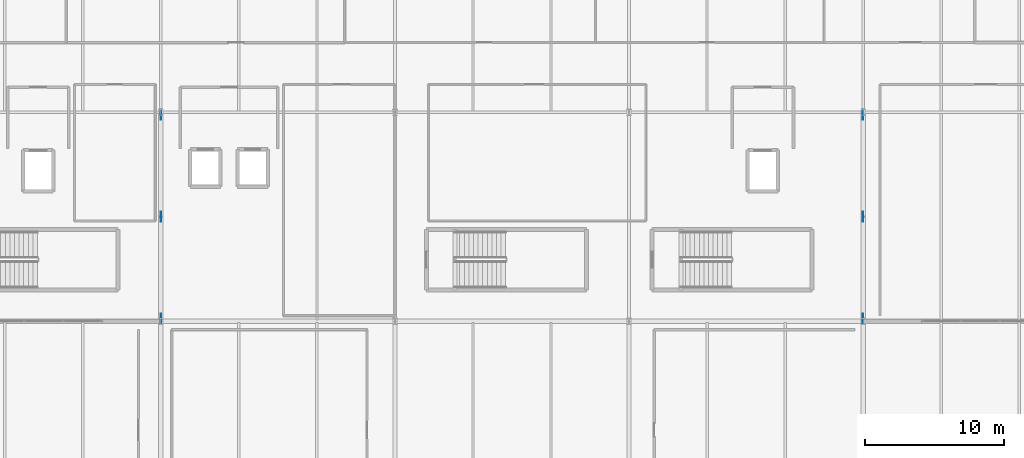
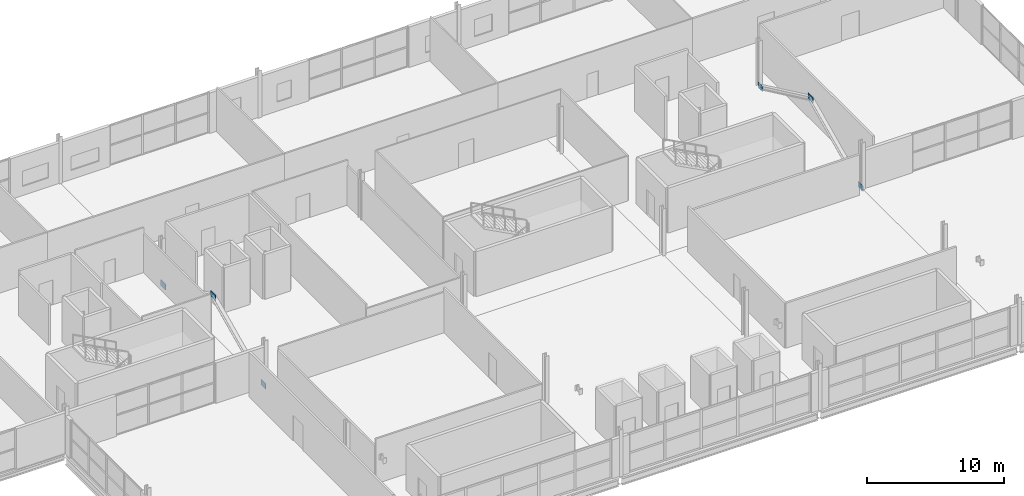
# One storey, part 29 of 39: 6 plates.
"""IFC4 building model written with IfcOpenShell, lengths in metres."""

from ifc_helpers import new_model, si_unit, direction, frame, origin, origin_2d, place, context, subcontext, project, spatial, rectangle, extrude, material, layer, layer_set, type_object, element, save


model = new_model("IFC4")

# Units and contexts
model_context = context("Model", 3, precision=1e-05, world=origin(), true_north=direction((0.0, 1.0)))
body_context = subcontext(model_context, "Body", "Model", "MODEL_VIEW")
ifc_project = project(units=[si_unit("LENGTHUNIT", "METRE"), si_unit("AREAUNIT", "SQUARE_METRE"), si_unit("VOLUMEUNIT", "CUBIC_METRE"), si_unit("PLANEANGLEUNIT", "RADIAN"), si_unit("MASSUNIT", "GRAM", prefix="KILO")], contexts=[model_context])

# Site, building, storey
site_placement = place(None, origin())
site = spatial("IfcSite", under=ifc_project, at=site_placement, CompositionType="ELEMENT")
building_placement = place(site_placement, origin())
building = spatial("IfcBuilding", under=site, at=building_placement, Name="Kimbaza Rail Terminus", CompositionType="ELEMENT")
storey_placement = place(building_placement, frame((0.0, 0.0, 16.800048828125)))
storey = spatial("IfcBuildingStorey", under=building, at=storey_placement, Name="L03", CompositionType="ELEMENT", Elevation=16.800048828125)

# Plates
ifc_material = material(Name="Steel S355", Category="steel")
ifc_layer = layer(ifc_material, 0.034912109375)
ifc_layer_set = layer_set([ifc_layer], Name="Steel S355")
plate_type = type_object("IfcPlateType", Name="STR-PL-WT01", PredefinedType="USERDEFINED", material=ifc_layer_set)
for number, where, z_axis, x_axis, name in (
    (1, (88.800048828125, 103.179931640625, -0.199951171875), (0.0, 0.0, 1.0), (1.0, 0.0, 0.0), "Chevron Brace Gusset Plate GP-01 4-S"),
    (2, (88.800048828125, 110.5, 3.25), (0.0, 0.0, 1.0), (1.0, 0.0, 0.0), "Chevron Brace Gusset Plate GP-01 4-M"),
    (3, (88.800048828125, 117.820068359375, -0.199951171875), (0.0, 0.0, 1.0), (1.0, 0.0, 0.0), "Chevron Brace Gusset Plate GP-01 4-N"),
    (4, (139.199951171875, 103.179931640625, -0.199951171875), (0.0, 0.0, 1.0), (1.0, 0.0, 0.0), "Chevron Brace Gusset Plate GP-01 8-S"),
    (5, (139.199951171875, 110.5, 3.25), (0.0, 0.0, 1.0), (1.0, 0.0, 0.0), "Chevron Brace Gusset Plate GP-01 8-M"),
    (6, (139.199951171875, 117.820068359375, -0.199951171875), (0.0, 0.0, 1.0), (1.0, 0.0, 0.0), "Chevron Brace Gusset Plate GP-01 8-N"),
):
    element("IfcPlate", number, at=place(storey_placement, frame(where, z_axis=z_axis, x_axis=x_axis)), inside=storey, type_object=plate_type, Name=name, ObjectType="GUSSET PLATE", PredefinedType="USERDEFINED", context=body_context, shape_type="SweptSolid", body=[
        extrude(rectangle(XDim=0.034912109375, YDim=0.719970703125, at=origin_2d()), origin(), (0.0, 0.0, 1.0), 0.5),
    ])

save(model, "model.ifc")
